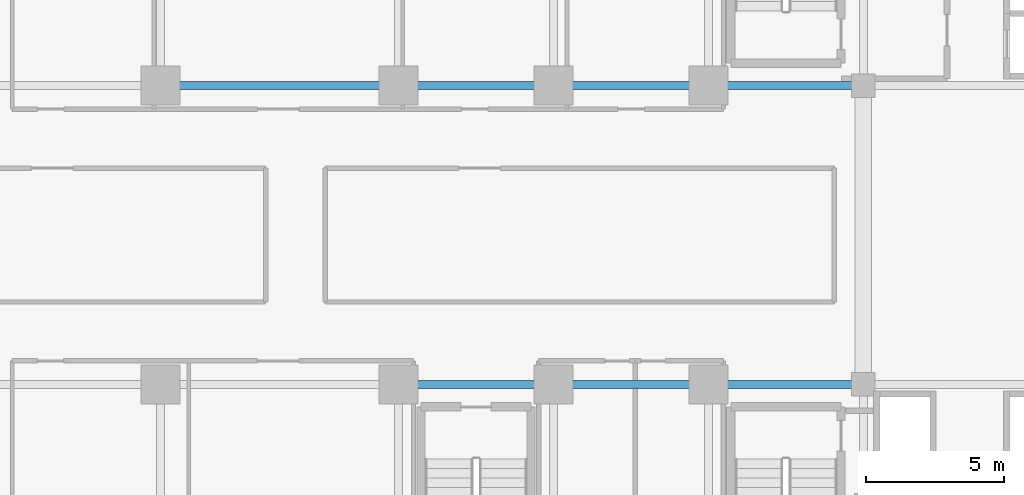
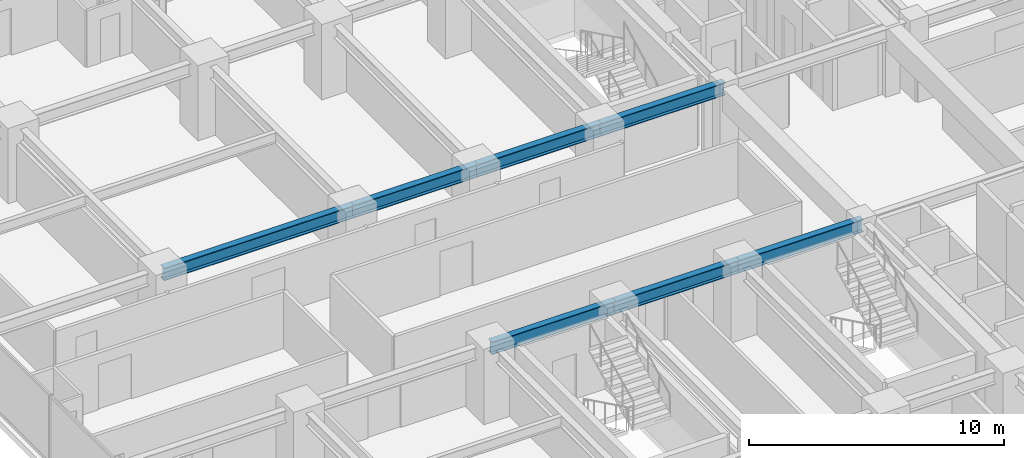
# One storey, part 11 of 35: 7 beams.
"""IFC4 building model written with IfcOpenShell, lengths in metres."""

from ifc_helpers import new_model, si_unit, direction, frame, origin, origin_2d, place, context, subcontext, project, spatial, i_section, extrude, source, transform, mapped, material, material_profile, profile_set, type_object, element, save


model = new_model("IFC4")

# Units and contexts
model_context = context("Model", 3, precision=1e-05, world=origin(), true_north=direction((0.0, 1.0)))
body_context = subcontext(model_context, "Body", "Model", "MODEL_VIEW")
ifc_project = project(units=[si_unit("LENGTHUNIT", "METRE"), si_unit("AREAUNIT", "SQUARE_METRE"), si_unit("VOLUMEUNIT", "CUBIC_METRE"), si_unit("PLANEANGLEUNIT", "RADIAN"), si_unit("MASSUNIT", "GRAM", prefix="KILO")], contexts=[model_context])

# Site, building, storey
site_placement = place(None, origin())
site = spatial("IfcSite", under=ifc_project, at=site_placement, CompositionType="ELEMENT")
building_placement = place(site_placement, origin())
building = spatial("IfcBuilding", under=site, at=building_placement, Name="Nahalor Promenade Grand Hotel", CompositionType="ELEMENT")
storey_placement = place(building_placement, frame((0.0, 0.0, 39.699951171875)))
storey = spatial("IfcBuildingStorey", under=building, at=storey_placement, Name="L08", CompositionType="ELEMENT", Elevation=39.699951171875)

# Beams
ifc_material = material(Name="Steel S355JR", Category="steel")
ifc_material_profile = material_profile(ifc_material, i_section(OverallWidth=0.3, OverallDepth=0.6, WebThickness=0.0155, FlangeThickness=0.03, at=origin_2d()), Name="HEB 600")
ifc_profile_set = profile_set([ifc_material_profile], Name="Steel S355JR")
beam_type = type_object("IfcBeamType", Name="Beam-Girder-HEB600", PredefinedType="BEAM", material=ifc_profile_set)
shared_shape_1 = source(origin(), body_context, "Body", "SweptSolid", [
    extrude(i_section(OverallWidth=0.3, OverallDepth=0.6, WebThickness=0.0155, FlangeThickness=0.03, at=origin_2d()), origin(), (0.0, 0.0, 1.0), 8.60009765625),
])
beam_placement = place(storey_placement, frame((-17.0, 5.39990234375, 3.070068359375), z_axis=(1.0, 0.0, 0.0), x_axis=(0.0, 1.0, 0.0)))
element("IfcBeam", 1, at=beam_placement, inside=storey, type_object=beam_type, Name="BM-L08-GX-2-1", PredefinedType="BEAM", context=body_context, shape_type="MappedRepresentation", body=[
    mapped(shared_shape_1, transform((0.0, 0.0, 0.0), scale=1.0)),
])
shared_shape_2 = source(origin(), body_context, "Body", "SweptSolid", [
    extrude(i_section(OverallWidth=0.3, OverallDepth=0.6, WebThickness=0.0155, FlangeThickness=0.03, at=origin_2d()), origin(), (0.0, 0.0, 1.0), 5.599853515625),
])
for number, where, z_axis, x_axis, name in (
    (2, (-8.39990234375, -5.39990234375, 3.070068359375), (1.0, 0.0, 0.0), (0.0, 1.0, 0.0), "BM-L08-GX-1-2"),
    (3, (2.800048828125, -5.39990234375, 3.070068359375), (1.0, 0.0, 0.0), (0.0, 1.0, 0.0), "BM-L08-GX-1-4"),
    (4, (-8.39990234375, 5.39990234375, 3.070068359375), (1.0, 0.0, 0.0), (0.0, 1.0, 0.0), "BM-L08-GX-2-2"),
    (5, (2.800048828125, 5.39990234375, 3.070068359375), (1.0, 0.0, 0.0), (0.0, 1.0, 0.0), "BM-L08-GX-2-4"),
):
    element("IfcBeam", number, at=place(storey_placement, frame(where, z_axis=z_axis, x_axis=x_axis)), inside=storey, type_object=beam_type, Name=name, PredefinedType="BEAM", context=body_context, shape_type="MappedRepresentation", body=[
        mapped(shared_shape_2, transform((0.0, 0.0, 0.0), scale=1.0)),
    ])
shared_shape_3 = source(origin(), body_context, "Body", "SweptSolid", [
    extrude(i_section(OverallWidth=0.3, OverallDepth=0.6, WebThickness=0.0155, FlangeThickness=0.03, at=origin_2d()), origin(), (0.0, 0.0, 1.0), 5.60009765625),
])
for number, where, z_axis, x_axis, name in (
    (6, (-2.800048828125, -5.39990234375, 3.070068359375), (1.0, 0.0, 0.0), (0.0, 1.0, 0.0), "BM-L08-GX-1-3"),
    (7, (-2.800048828125, 5.39990234375, 3.070068359375), (1.0, 0.0, 0.0), (0.0, 1.0, 0.0), "BM-L08-GX-2-3"),
):
    element("IfcBeam", number, at=place(storey_placement, frame(where, z_axis=z_axis, x_axis=x_axis)), inside=storey, type_object=beam_type, Name=name, PredefinedType="BEAM", context=body_context, shape_type="MappedRepresentation", body=[
        mapped(shared_shape_3, transform((0.0, 0.0, 0.0), scale=1.0)),
    ])

save(model, "model.ifc")
